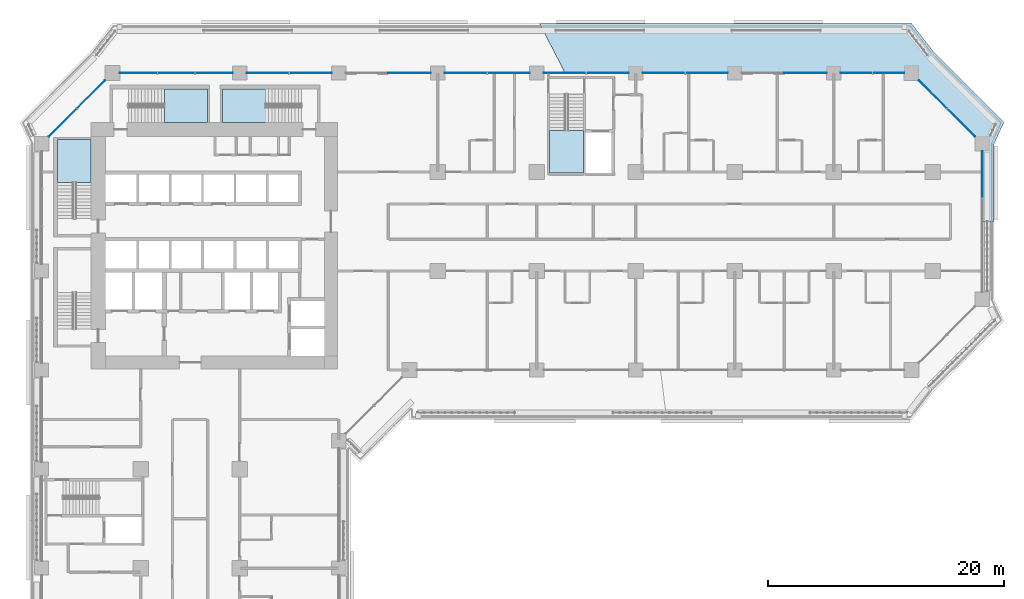
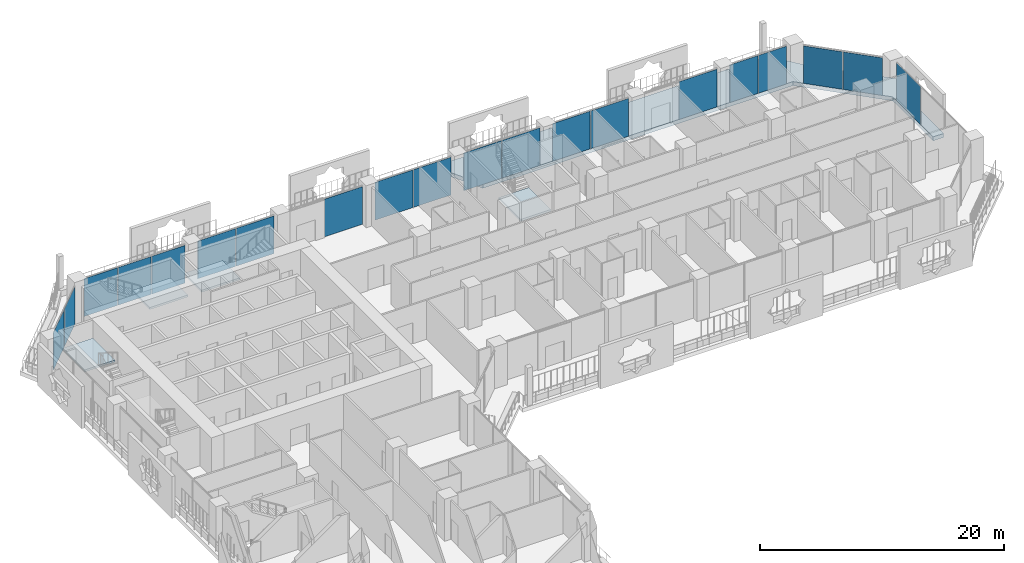
# One storey, part 12 of 27: 20 plates, 5 slabs, 8 elements without a shape of their own.
"""IFC4 building model written with IfcOpenShell, lengths in metres."""

from ifc_helpers import new_model, si_unit, direction, frame, origin, origin_2d, place, context, subcontext, project, spatial, polyline, rectangle, outline, extrude, material, layer, layer_set, type_object, element, aggregate, save


model = new_model("IFC4")

# Units and contexts
model_context = context("Model", 3, precision=1e-05, world=origin(), true_north=direction((0.0, 1.0)))
body_context = subcontext(model_context, "Body", "Model", "MODEL_VIEW")
ifc_project = project(units=[si_unit("LENGTHUNIT", "METRE"), si_unit("AREAUNIT", "SQUARE_METRE"), si_unit("VOLUMEUNIT", "CUBIC_METRE"), si_unit("PLANEANGLEUNIT", "RADIAN"), si_unit("MASSUNIT", "GRAM", prefix="KILO")], contexts=[model_context])

# Site, building, storey
site_placement = place(None, origin())
site = spatial("IfcSite", under=ifc_project, at=site_placement, CompositionType="ELEMENT")
building_placement = place(site_placement, origin())
building = spatial("IfcBuilding", under=site, at=building_placement, Name="Kawkab Arch Medical Tower", CompositionType="ELEMENT")
storey_placement = place(building_placement, frame((0.0, 0.0, 85.39990234375)))
storey = spatial("IfcBuildingStorey", under=building, at=storey_placement, Name="L19", CompositionType="ELEMENT", Elevation=85.39990234375)

# Curtain wall, plate
ifc_material_1 = material(Name="Bronze anodised aluminium curtain wall frame", Category="aluminium")
ifc_layer_1 = layer(ifc_material_1, 0.159912109375)
ifc_layer_set_1 = layer_set([ifc_layer_1], Name="Bronze anodised aluminium curtain wall frame")
curtain_wall_type_1 = type_object("IfcCurtainWallType", Name="CW1 ward curtain wall", PredefinedType="NOTDEFINED", material=ifc_layer_set_1)
placement_1 = place(storey_placement, origin())
curtain_wall_1 = element("IfcCurtainWall", 1, at=placement_1, inside=storey, type_object=curtain_wall_type_1, Name="CW1 Ward curtain wall R09", PredefinedType="NOTDEFINED")
ifc_material_2 = material(Name="Tinted insulating glass, bronze low-e coating", Category="glass")
ifc_layer_2 = layer(ifc_material_2, 0.031982421875)
ifc_layer_set_2 = layer_set([ifc_layer_2], Name="Tinted insulating glass, bronze low-e coating")
plate_type_1 = type_object("IfcPlateType", Name="CW1 glazing unit 32", PredefinedType="CURTAIN_PANEL", material=ifc_layer_set_2)
plate_1_placement = place(storey_placement, frame((79.800048828125, -8.6015625, 0.0), z_axis=(0.0, 0.0, 1.0), x_axis=(0.0, 1.0, 0.0)))
plate_1 = element("IfcPlate", 2, at=plate_1_placement, type_object=plate_type_1, Name="CW1 glazing unit 1.3", PredefinedType="CURTAIN_PANEL", context=body_context, shape_type="SweptSolid", body=[
    extrude(rectangle(XDim=3.953369140625, YDim=0.031982421875, at=origin_2d()), origin(), (0.0, 0.0, 1.0), 3.780029296875),
])
aggregate(curtain_wall_1, [plate_1])

# Curtain wall, plates
curtain_wall_2 = element("IfcCurtainWall", 3, at=placement_1, inside=storey, type_object=curtain_wall_type_1, Name="CW1 Ward curtain wall R11", PredefinedType="NOTDEFINED")
plate_2_placement = place(storey_placement, frame((71.84619140625, 0.0, 0.0), z_axis=(0.0, 0.0, 1.0), x_axis=(-1.0, 0.0, 0.0)))
plate_2 = element("IfcPlate", 4, at=plate_2_placement, type_object=plate_type_1, Name="CW1 glazing unit 1.1", PredefinedType="CURTAIN_PANEL", context=body_context, shape_type="SweptSolid", body=[
    extrude(rectangle(XDim=2.657470703125, YDim=0.031982421875, at=origin_2d()), origin(), (0.0, 0.0, 1.0), 3.780029296875),
])
plate_3_placement = place(storey_placement, frame((69.128662109375, 0.0, 0.0), z_axis=(0.0, 0.0, 1.0), x_axis=(-1.0, 0.0, 0.0)))
plate_3 = element("IfcPlate", 5, at=plate_3_placement, type_object=plate_type_1, Name="CW1 glazing unit 1.2", PredefinedType="CURTAIN_PANEL", context=body_context, shape_type="SweptSolid", body=[
    extrude(rectangle(XDim=2.657470703125, YDim=0.031982421875, at=origin_2d()), origin(), (0.0, 0.0, 1.0), 3.780029296875),
])
plate_4_placement = place(storey_placement, frame((64.800048828125, 0.0, 0.0), z_axis=(0.0, 0.0, 1.0), x_axis=(-1.0, 0.0, 0.0)))
plate_4 = element("IfcPlate", 6, at=plate_4_placement, type_object=plate_type_1, Name="CW1 glazing unit 2.1", PredefinedType="CURTAIN_PANEL", context=body_context, shape_type="SweptSolid", body=[
    extrude(rectangle(XDim=3.60009765625, YDim=0.031982421875, at=origin_2d()), origin(), (0.0, 0.0, 1.0), 3.780029296875),
])
plate_5_placement = place(storey_placement, frame((56.4150390625, 0.0, 0.0), z_axis=(0.0, 0.0, 1.0), x_axis=(-1.0, 0.0, 0.0)))
plate_5 = element("IfcPlate", 7, at=plate_5_placement, type_object=plate_type_1, Name="CW1 glazing unit 3.1", PredefinedType="CURTAIN_PANEL", context=body_context, shape_type="SweptSolid", body=[
    extrude(rectangle(XDim=3.570068359375, YDim=0.031982421875, at=origin_2d()), origin(), (0.0, 0.0, 1.0), 3.780029296875),
])
plate_6_placement = place(storey_placement, frame((52.784912109375, 0.0, 0.0), z_axis=(0.0, 0.0, 1.0), x_axis=(-1.0, 0.0, 0.0)))
plate_6 = element("IfcPlate", 8, at=plate_6_placement, type_object=plate_type_1, Name="CW1 glazing unit 3.2", PredefinedType="CURTAIN_PANEL", context=body_context, shape_type="SweptSolid", body=[
    extrude(rectangle(XDim=3.570068359375, YDim=0.031982421875, at=origin_2d()), origin(), (0.0, 0.0, 1.0), 3.780029296875),
])
plate_7_placement = place(storey_placement, frame((48.014892578125, 0.0, 0.0), z_axis=(0.0, 0.0, 1.0), x_axis=(-1.0, 0.0, 0.0)))
plate_7 = element("IfcPlate", 9, at=plate_7_placement, type_object=plate_type_1, Name="CW1 glazing unit 4.1", PredefinedType="CURTAIN_PANEL", context=body_context, shape_type="SweptSolid", body=[
    extrude(rectangle(XDim=3.570068359375, YDim=0.031982421875, at=origin_2d()), origin(), (0.0, 0.0, 1.0), 3.780029296875),
])
plate_8_placement = place(storey_placement, frame((44.385009765625, 0.0, 0.0), z_axis=(0.0, 0.0, 1.0), x_axis=(-1.0, 0.0, 0.0)))
plate_8 = element("IfcPlate", 10, at=plate_8_placement, type_object=plate_type_1, Name="CW1 glazing unit 4.2", PredefinedType="CURTAIN_PANEL", context=body_context, shape_type="SweptSolid", body=[
    extrude(rectangle(XDim=3.570068359375, YDim=0.031982421875, at=origin_2d()), origin(), (0.0, 0.0, 1.0), 3.780029296875),
])
plate_9_placement = place(storey_placement, frame((39.614990234375, 0.0, 0.0), z_axis=(0.0, 0.0, 1.0), x_axis=(-1.0, 0.0, 0.0)))
plate_9 = element("IfcPlate", 11, at=plate_9_placement, type_object=plate_type_1, Name="CW1 glazing unit 5.1", PredefinedType="CURTAIN_PANEL", context=body_context, shape_type="SweptSolid", body=[
    extrude(rectangle(XDim=3.570068359375, YDim=0.031982421875, at=origin_2d()), origin(), (0.0, 0.0, 1.0), 3.780029296875),
])
plate_10_placement = place(storey_placement, frame((35.985107421875, 0.0, 0.0), z_axis=(0.0, 0.0, 1.0), x_axis=(-1.0, 0.0, 0.0)))
plate_10 = element("IfcPlate", 12, at=plate_10_placement, type_object=plate_type_1, Name="CW1 glazing unit 5.2", PredefinedType="CURTAIN_PANEL", context=body_context, shape_type="SweptSolid", body=[
    extrude(rectangle(XDim=3.570068359375, YDim=0.031982421875, at=origin_2d()), origin(), (0.0, 0.0, 1.0), 3.780029296875),
])
plate_11_placement = place(storey_placement, frame((31.199951171875, 0.0, 0.0), z_axis=(0.0, 0.0, 1.0), x_axis=(-1.0, 0.0, 0.0)))
plate_11 = element("IfcPlate", 13, at=plate_11_placement, type_object=plate_type_1, Name="CW1 glazing unit 6.1", PredefinedType="CURTAIN_PANEL", context=body_context, shape_type="SweptSolid", body=[
    extrude(rectangle(XDim=3.60009765625, YDim=0.031982421875, at=origin_2d()), origin(), (0.0, 0.0, 1.0), 3.780029296875),
])
plate_12_placement = place(storey_placement, frame((22.81494140625, 0.0, 0.0), z_axis=(0.0, 0.0, 1.0), x_axis=(-1.0, 0.0, 0.0)))
plate_12 = element("IfcPlate", 14, at=plate_12_placement, type_object=plate_type_1, Name="CW1 glazing unit 7.1", PredefinedType="CURTAIN_PANEL", context=body_context, shape_type="SweptSolid", body=[
    extrude(rectangle(XDim=3.570068359375, YDim=0.031982421875, at=origin_2d()), origin(), (0.0, 0.0, 1.0), 3.780029296875),
])
plate_13_placement = place(storey_placement, frame((19.18505859375, 0.0, 0.0), z_axis=(0.0, 0.0, 1.0), x_axis=(-1.0, 0.0, 0.0)))
plate_13 = element("IfcPlate", 15, at=plate_13_placement, type_object=plate_type_1, Name="CW1 glazing unit 7.2", PredefinedType="CURTAIN_PANEL", context=body_context, shape_type="SweptSolid", body=[
    extrude(rectangle(XDim=3.570068359375, YDim=0.031982421875, at=origin_2d()), origin(), (0.0, 0.0, 1.0), 3.780029296875),
])
plate_14_placement = place(storey_placement, frame((14.619140625, 0.0, 0.0), z_axis=(0.0, 0.0, 1.0), x_axis=(-1.0, 0.0, 0.0)))
plate_14 = element("IfcPlate", 16, at=plate_14_placement, type_object=plate_type_1, Name="CW1 glazing unit 8.1", PredefinedType="CURTAIN_PANEL", context=body_context, shape_type="SweptSolid", body=[
    extrude(rectangle(XDim=3.16162109375, YDim=0.031982421875, at=origin_2d()), origin(), (0.0, 0.0, 1.0), 3.780029296875),
])
plate_15_placement = place(storey_placement, frame((11.41259765625, 0.0, 0.0), z_axis=(0.0, 0.0, 1.0), x_axis=(-1.0, 0.0, 0.0)))
plate_15 = element("IfcPlate", 17, at=plate_15_placement, type_object=plate_type_1, Name="CW1 glazing unit 8.2", PredefinedType="CURTAIN_PANEL", context=body_context, shape_type="SweptSolid", body=[
    extrude(rectangle(XDim=3.131591796875, YDim=0.031982421875, at=origin_2d()), origin(), (0.0, 0.0, 1.0), 3.780029296875),
])
plate_16_placement = place(storey_placement, frame((8.205810546875, 0.0, 0.0), z_axis=(0.0, 0.0, 1.0), x_axis=(-1.0, 0.0, 0.0)))
plate_16 = element("IfcPlate", 18, at=plate_16_placement, type_object=plate_type_1, Name="CW1 glazing unit 8.3", PredefinedType="CURTAIN_PANEL", context=body_context, shape_type="SweptSolid", body=[
    extrude(rectangle(XDim=3.16162109375, YDim=0.031982421875, at=origin_2d()), origin(), (0.0, 0.0, 1.0), 3.780029296875),
])
aggregate(curtain_wall_2, [plate_2, plate_3, plate_4, plate_5, plate_6, plate_7, plate_8, plate_9, plate_10, plate_11, plate_12, plate_13, plate_14, plate_15, plate_16])

ifc_material_3 = material(Name="Bronze anodised aluminium curtain wall frame", Category="aluminium")
ifc_layer_3 = layer(ifc_material_3, 0.159912109375)
ifc_layer_set_3 = layer_set([ifc_layer_3], Name="Bronze anodised aluminium curtain wall frame")
curtain_wall_type_2 = type_object("IfcCurtainWallType", Name="CW2 chamfer curtain wall", PredefinedType="NOTDEFINED", material=ifc_layer_set_3)
curtain_wall_3 = element("IfcCurtainWall", 19, at=placement_1, inside=storey, type_object=curtain_wall_type_2, Name="CW2 Chamfer curtain wall R10", PredefinedType="NOTDEFINED")
ifc_material_4 = material(Name="Tinted insulating glass, bronze low-e coating", Category="glass")
ifc_layer_4 = layer(ifc_material_4, 0.031982421875)
ifc_layer_set_4 = layer_set([ifc_layer_4], Name="Tinted insulating glass, bronze low-e coating")
plate_type_2 = type_object("IfcPlateType", Name="CW2 glazing unit 32", PredefinedType="CURTAIN_PANEL", material=ifc_layer_set_4)
plate_17_placement = place(storey_placement, frame((77.998046875, -4.197998046875, 0.0), z_axis=(0.0, 0.0, 1.0), x_axis=(-0.707106781187, 0.707106781187, 0.0)))
plate_17 = element("IfcPlate", 20, at=plate_17_placement, type_object=plate_type_2, Name="CW2 glazing unit 1.1", PredefinedType="CURTAIN_PANEL", context=body_context, shape_type="SweptSolid", body=[
    extrude(rectangle(XDim=3.328857421875, YDim=0.031982421875, at=origin_2d()), origin(), (0.0, 0.0, 1.0), 3.760009765625),
])
plate_18_placement = place(storey_placement, frame((75.601806640625, -1.802001953125, 0.0), z_axis=(0.0, 0.0, 1.0), x_axis=(-0.707106781187, 0.707106781187, 0.0)))
plate_18 = element("IfcPlate", 21, at=plate_18_placement, type_object=plate_type_2, Name="CW2 glazing unit 1.2", PredefinedType="CURTAIN_PANEL", context=body_context, shape_type="SweptSolid", body=[
    extrude(rectangle(XDim=3.328857421875, YDim=0.031982421875, at=origin_2d()), origin(), (0.0, 0.0, 1.0), 3.760009765625),
])
aggregate(curtain_wall_3, [plate_17, plate_18])

curtain_wall_4 = element("IfcCurtainWall", 22, at=placement_1, inside=storey, type_object=curtain_wall_type_2, Name="CW2 Chamfer curtain wall R12", PredefinedType="NOTDEFINED")
plate_19_placement = place(storey_placement, frame((4.197998046875, -1.802001953125, 0.0), z_axis=(0.0, 0.0, 1.0), x_axis=(-0.707106781187, -0.707106781187, 0.0)))
plate_19 = element("IfcPlate", 23, at=plate_19_placement, type_object=plate_type_2, Name="CW2 glazing unit 1.1", PredefinedType="CURTAIN_PANEL", context=body_context, shape_type="SweptSolid", body=[
    extrude(rectangle(XDim=3.328857421875, YDim=0.031982421875, at=origin_2d()), origin(), (0.0, 0.0, 1.0), 3.760009765625),
])
plate_20_placement = place(storey_placement, frame((1.802001953125, -4.197998046875, 0.0), z_axis=(0.0, 0.0, 1.0), x_axis=(-0.707106781187, -0.707106781187, 0.0)))
plate_20 = element("IfcPlate", 24, at=plate_20_placement, type_object=plate_type_2, Name="CW2 glazing unit 1.2", PredefinedType="CURTAIN_PANEL", context=body_context, shape_type="SweptSolid", body=[
    extrude(rectangle(XDim=3.328857421875, YDim=0.031982421875, at=origin_2d()), origin(), (0.0, 0.0, 1.0), 3.760009765625),
])
aggregate(curtain_wall_4, [plate_19, plate_20])

# Stair, slab
ifc_material_5 = material(Name="Concrete C40/50", Category="concrete")
stair_type = type_object("IfcStairType", Name="Exit stair 1350", PredefinedType="HALF_TURN_STAIR", material=ifc_material_5)
stair_1 = element("IfcStair", 25, at=placement_1, inside=storey, type_object=stair_type, Name="L19 Exit stair ST1", PredefinedType="HALF_TURN_STAIR")
ifc_material_6 = material(Name="Concrete C40/50", Category="concrete")
ifc_layer_5 = layer(ifc_material_6, 0.199951171875)
ifc_layer_set_5 = layer_set([ifc_layer_5], Name="Concrete C40/50")
slab_type_1 = type_object("IfcSlabType", Name="Exit stair landing 200", PredefinedType="LANDING", material=ifc_layer_set_5)
placement_2 = place(storey_placement, frame((0.0, 0.0, 1.900146484375)))
slab_1 = element("IfcSlab", 26, at=placement_2, type_object=slab_type_1, Name="ST1 landing 1", PredefinedType="LANDING", context=body_context, shape_type="SweptSolid", body=[
    extrude(outline(polyline([(4.199951171875, -9.27001953125), (4.199951171875, -5.64990234375), (1.35009765625, -5.64990234375), (1.35009765625, -9.27001953125), (4.199951171875, -9.27001953125)])), origin(), (0.0, 0.0, 1.0), 0.199951171875),
])
aggregate(stair_1, [slab_1])

stair_2 = element("IfcStair", 27, at=placement_1, inside=storey, type_object=stair_type, Name="L19 Exit stair ST3", PredefinedType="HALF_TURN_STAIR")
slab_2 = element("IfcSlab", 28, at=placement_2, type_object=slab_type_1, Name="ST3 landing 1", PredefinedType="LANDING", context=body_context, shape_type="SweptSolid", body=[
    extrude(outline(polyline([(10.429931640625, -4.199951171875), (14.050048828125, -4.199951171875), (14.050048828125, -1.35009765625), (10.429931640625, -1.35009765625), (10.429931640625, -4.199951171875)])), origin(), (0.0, 0.0, 1.0), 0.199951171875),
])
aggregate(stair_2, [slab_2])

stair_3 = element("IfcStair", 29, at=placement_1, inside=storey, type_object=stair_type, Name="L19 Exit stair ST4", PredefinedType="HALF_TURN_STAIR")
slab_3 = element("IfcSlab", 30, at=placement_2, type_object=slab_type_1, Name="ST4 landing 1", PredefinedType="LANDING", context=body_context, shape_type="SweptSolid", body=[
    extrude(outline(polyline([(18.969970703125, -1.35009765625), (15.35009765625, -1.35009765625), (15.35009765625, -4.199951171875), (18.969970703125, -4.199951171875), (18.969970703125, -1.35009765625)])), origin(), (0.0, 0.0, 1.0), 0.199951171875),
])
aggregate(stair_3, [slab_3])

stair_4 = element("IfcStair", 31, at=placement_1, inside=storey, type_object=stair_type, Name="L19 Exit stair ST5", PredefinedType="HALF_TURN_STAIR")
slab_4 = element("IfcSlab", 32, at=placement_2, type_object=slab_type_1, Name="ST5 landing 1", PredefinedType="LANDING", context=body_context, shape_type="SweptSolid", body=[
    extrude(outline(polyline([(43.10009765625, -4.8798828125), (43.10009765625, -8.5), (45.949951171875, -8.5), (45.949951171875, -4.8798828125), (43.10009765625, -4.8798828125)])), origin(), (0.0, 0.0, 1.0), 0.199951171875),
])
aggregate(stair_4, [slab_4])

# Slab
ifc_material_7 = material(Name="Concrete C40/50", Category="concrete")
ifc_layer_6 = layer(ifc_material_7, 0.39990234375)
ifc_layer_set_6 = layer_set([ifc_layer_6], Name="Concrete C40/50")
slab_type_2 = type_object("IfcSlabType", Name="Loggia slab 400", PredefinedType="FLOOR", material=ifc_layer_set_6)
slab_5_placement = place(storey_placement, frame((0.0, 0.0, -0.39990234375)))
element("IfcSlab", 33, at=slab_5_placement, inside=storey, type_object=slab_type_2, Name="Loggia slab L19.6", PredefinedType="FLOOR", context=body_context, shape_type="SweptSolid", body=[
    extrude(outline(polyline([(75.637939453125, 1.837890625), (81.637939453125, -4.162109375), (80.800048828125, -6.0), (80.800048828125, -12.60009765625), (79.800048828125, -12.60009765625), (79.800048828125, -6.0), (73.800048828125, 0.0), (73.800048828125, 0.0009765625), (44.410888671875, 0.0009765625), (42.23388671875, 4.199951171875), (73.800048828125, 4.199951171875), (75.637939453125, 1.837890625)])), origin(), (0.0, 0.0, 1.0), 0.39990234375),
])

save(model, "model.ifc")
